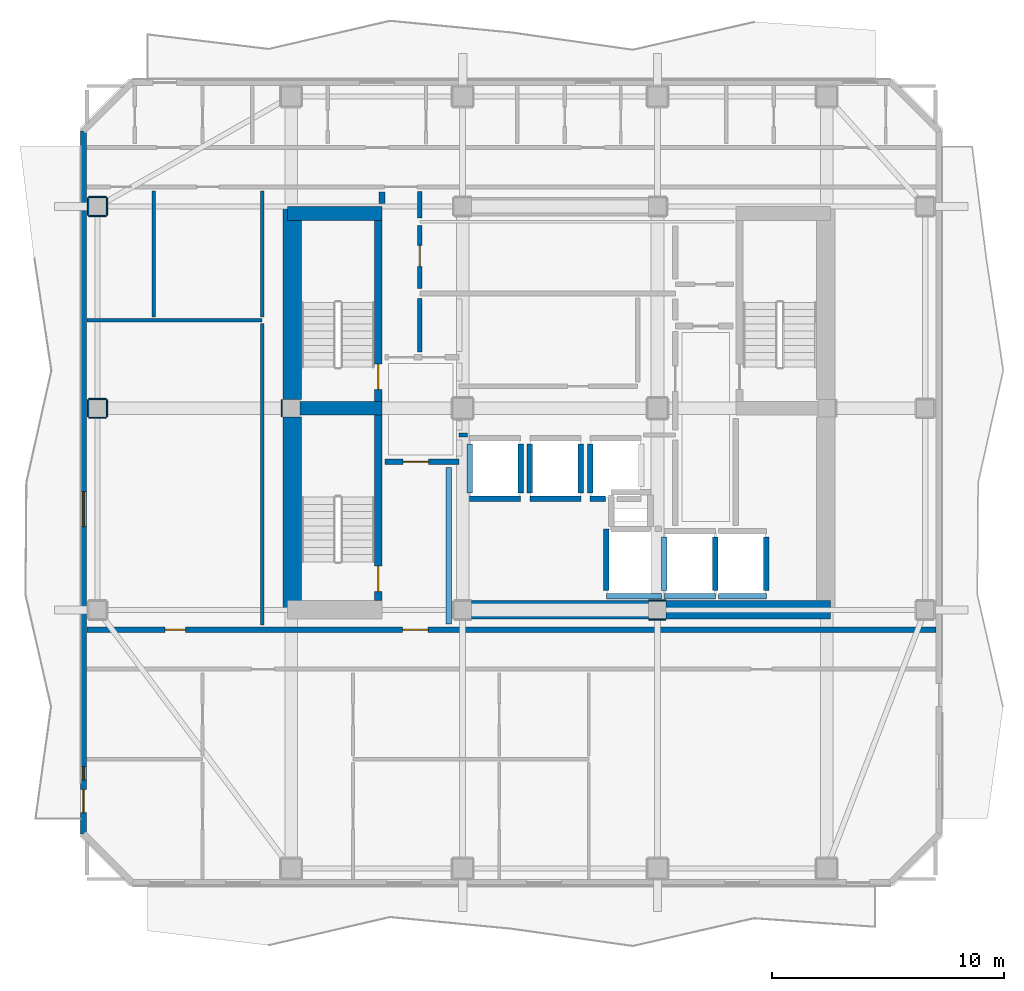
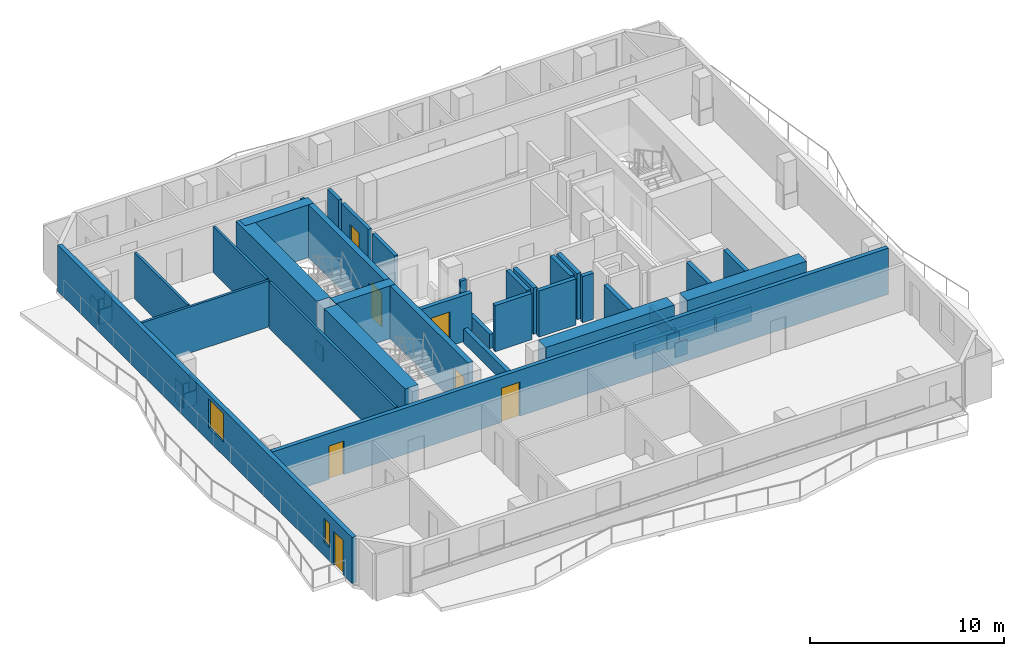
# One storey, part 3 of 10: 47 walls, 7 doors, 2 windows, 9 openings.
"""IFC4 building model written with IfcOpenShell, lengths in metres."""

import ifcopenshell
import ifcopenshell.guid

model = None  # the IFC model being written
_history = None  # IfcOwnerHistory: only IFC2X3 demands one
_inside = {}  # id of a spatial element -> (the spatial element, [elements in it])
_under = {}  # id of a project, library or spatial element -> (it, [spatial elements below it])
_declared = {}  # id of a project -> (the project, [libraries it declares])
_typed = {}  # id of a type object -> (the type object, [elements of that type])
_made_of = {}  # id of a material, layer set ... -> (it, [elements and type objects made of it])


def new_model(schema):
    """Start an empty IFC model of exactly this schema.

    Asked for "IFC4X3", IfcOpenShell would pick the latest addendum, in which some entities
    have other attributes; the version numbers below select the first issue.
    IFC2X3 requires an IfcOwnerHistory on every rooted entity: one is made here for all.
    """
    global model, _history
    if schema == "IFC4X3":
        model = ifcopenshell.file(schema_version=(4, 3, 0, 0))
    else:
        model = ifcopenshell.file(schema=schema)
    _inside.clear()
    _under.clear()
    _declared.clear()
    _typed.clear()
    _made_of.clear()
    _history = None
    if model.schema == "IFC2X3":
        org = make("IfcOrganization", Name="unknown")
        user = make(
            "IfcPersonAndOrganization",
            ThePerson=make("IfcPerson", FamilyName="unknown"),
            TheOrganization=org,
        )
        app = make(
            "IfcApplication",
            ApplicationDeveloper=org,
            Version="unknown",
            ApplicationFullName="unknown",
            ApplicationIdentifier="unknown",
        )
        _history = make(
            "IfcOwnerHistory",
            OwningUser=user,
            OwningApplication=app,
            ChangeAction="ADDED",
            CreationDate=0,
        )
    return model


def make(cls, **values):
    """One entity of the class cls with the attributes given. An attribute that is None is left unset."""
    return model.create_entity(
        cls, **{name: value for name, value in values.items() if value is not None}
    )


def rooted(cls, **values):
    """An entity with a GlobalId (a new one), such as an element, a storey or a relation."""
    return make(cls, GlobalId=ifcopenshell.guid.new(), OwnerHistory=_history, **values)


def si_unit(unit_type, name, prefix=None):
    """IfcSIUnit, for example si_unit("LENGTHUNIT", "METRE", prefix="MILLI")."""
    return make("IfcSIUnit", UnitType=unit_type, Prefix=prefix, Name=name)


def assignment(units):
    """IfcUnitAssignment: the units of a project."""
    return None if units is None else make("IfcUnitAssignment", Units=units)


def point(xyz):
    """IfcCartesianPoint."""
    return None if xyz is None else make("IfcCartesianPoint", Coordinates=xyz)


def direction(xyz):
    """IfcDirection."""
    return None if xyz is None else make("IfcDirection", DirectionRatios=xyz)


def frame(location, z_axis=None, x_axis=None):
    """IfcAxis2Placement3D, a coordinate frame: its origin and axes. An axis left out is left unset."""
    return make(
        "IfcAxis2Placement3D",
        Location=point(location),
        Axis=direction(z_axis),
        RefDirection=direction(x_axis),
    )


def frame_2d(location, x_axis=None):
    """IfcAxis2Placement2D, a coordinate frame in the plane: its origin and x axis."""
    return make(
        "IfcAxis2Placement2D", Location=point(location), RefDirection=direction(x_axis)
    )


def origin():
    """The frame at (0, 0, 0) with its axes left unset."""
    return frame((0.0, 0.0, 0.0))


def place(relative_to, where):
    """IfcLocalPlacement: puts the frame where relative to a parent placement (None: the world)."""
    return make(
        "IfcLocalPlacement", PlacementRelTo=relative_to, RelativePlacement=where
    )


def context(
    kind, dimensions, precision=None, world=None, true_north=None, identifier=None
):
    """IfcGeometricRepresentationContext, for example the 3D "Model" context."""
    return make(
        "IfcGeometricRepresentationContext",
        ContextIdentifier=identifier,
        ContextType=kind,
        CoordinateSpaceDimension=dimensions,
        Precision=precision,
        WorldCoordinateSystem=world,
        TrueNorth=true_north,
    )


def subcontext(parent, identifier, kind, view, scale=None):
    """IfcGeometricRepresentationSubContext, for example "Body" below "Model"."""
    return make(
        "IfcGeometricRepresentationSubContext",
        ContextIdentifier=identifier,
        ContextType=kind,
        ParentContext=parent,
        TargetScale=scale,
        TargetView=view,
    )


def project(units=None, contexts=None):
    """IfcProject with its units and contexts."""
    return rooted(
        "IfcProject",
        Name="project",
        RepresentationContexts=contexts,
        UnitsInContext=assignment(units),
    )


def spatial(cls, under=None, at=None, **own):
    """A site, building, storey or space (cls), placed at a placement, below another one or the project."""
    s = rooted(cls, ObjectPlacement=at, **own)
    if under is not None:
        _under.setdefault(under.id(), (under, []))[1].append(s)
    return s


def profile(cls, at=None, kind="AREA", **sizes):
    """A parametric profile (cls). Its sizes go by their IFC names, for example OverallWidth=200.0."""
    return make(cls, ProfileType=kind, Position=at, **sizes)


def rectangle(**sizes):
    """IfcRectangleProfileDef."""
    return profile("IfcRectangleProfileDef", **sizes)


def extrude(swept, where, along, depth):
    """IfcExtrudedAreaSolid: the profile swept, set in the frame where, extruded along a direction by depth."""
    return make(
        "IfcExtrudedAreaSolid",
        SweptArea=swept,
        Position=where,
        ExtrudedDirection=direction(along),
        Depth=depth,
    )


def shape(context_of_items, identifier, shape_type, items):
    """IfcShapeRepresentation: the items that make up one representation, for example the "Body"."""
    return make(
        "IfcShapeRepresentation",
        ContextOfItems=context_of_items,
        RepresentationIdentifier=identifier,
        RepresentationType=shape_type,
        Items=items,
    )


def material(Name=None, Category=None):
    """IfcMaterial."""
    return make("IfcMaterial", Name=Name, Category=Category)


def layer(
    of_material, thickness, ventilated=None, Name=None, Category=None, Priority=None
):
    """IfcMaterialLayer: one layer of a wall or slab, of a material (None: an air gap)."""
    return make(
        "IfcMaterialLayer",
        Material=of_material,
        LayerThickness=thickness,
        IsVentilated=ventilated,
        Name=Name,
        Category=Category,
        Priority=Priority,
    )


def layer_set(layers, Name=None):
    """IfcMaterialLayerSet."""
    return make("IfcMaterialLayerSet", MaterialLayers=layers, LayerSetName=Name)


def made_of(thing, what):
    """Note that an element or type object is made of a material, layer set ...; save() writes the relation."""
    if what is not None:
        _made_of.setdefault(what.id(), (what, []))[1].append(thing)
    return thing


def type_object(cls, material=None, **own):
    """A type object (cls), such as IfcWallType, which elements share."""
    return made_of(rooted(cls, **own), material)


def element(
    cls,
    number,
    at=None,
    inside=None,
    cuts=None,
    type_object=None,
    material=None,
    context=None,
    identifier="Body",
    shape_type=None,
    held_by="IfcProductDefinitionShape",
    body=None,
    shapes=None,
    **own,
):
    """One element of the class cls, such as IfcWall. Its Tag is "e" and its number.

    at: its placement. inside: the storey or other place that contains it. cuts: it is an
    opening in that element (IfcRelVoidsElement). A single representation is given by context,
    identifier, shape_type and body (its items); several are given by shapes. held_by: the class
    of the entity that holds the representations. save() writes the other relations.
    """
    e = rooted(cls, Tag="e%d" % number, ObjectPlacement=at, **own)
    if body is not None:
        shapes = [shape(context, identifier, shape_type, body)]
    if shapes is not None:
        e.Representation = make(held_by, Representations=shapes)
    if inside is not None:
        _inside.setdefault(inside.id(), (inside, []))[1].append(e)
    if cuts is not None:
        rooted(
            "IfcRelVoidsElement", RelatingBuildingElement=cuts, RelatedOpeningElement=e
        )
    if type_object is not None:
        _typed.setdefault(type_object.id(), (type_object, []))[1].append(e)
    return made_of(e, material)


def fill(opening, filler):
    """IfcRelFillsElement: the door or window that sits in an opening."""
    return rooted(
        "IfcRelFillsElement",
        RelatingOpeningElement=opening,
        RelatedBuildingElement=filler,
    )


def aggregate(whole, parts):
    """IfcRelAggregates: a whole, such as a stair, and the parts it consists of."""
    return rooted("IfcRelAggregates", RelatingObject=whole, RelatedObjects=parts)


def save(model, path):
    """Write the relations noted so far, then the file.

    IfcRelAggregates (storeys below a building ...), IfcRelContainedInSpatialStructure (elements
    in a storey), IfcRelDefinesByType, IfcRelAssociatesMaterial and IfcRelDeclares: one each for
    every whole, place, type object, material and project.
    """
    for whole, parts in _under.values():
        aggregate(whole, parts)
    for where, things in _inside.values():
        rooted(
            "IfcRelContainedInSpatialStructure",
            RelatedElements=things,
            RelatingStructure=where,
        )
    for kind, things in _typed.values():
        rooted("IfcRelDefinesByType", RelatedObjects=things, RelatingType=kind)
    for what, things in _made_of.values():
        rooted("IfcRelAssociatesMaterial", RelatedObjects=things, RelatingMaterial=what)
    for by, libraries in _declared.values():
        rooted("IfcRelDeclares", RelatingContext=by, RelatedDefinitions=libraries)
    model.write(path)


model = new_model("IFC4")

# Units and contexts
model_context = context("Model", 3, precision=1e-05, world=origin(), true_north=direction((0.0, 1.0)))
body_context = subcontext(model_context, "Body", "Model", "MODEL_VIEW")
ifc_project = project(units=[si_unit("LENGTHUNIT", "METRE"), si_unit("AREAUNIT", "SQUARE_METRE"), si_unit("VOLUMEUNIT", "CUBIC_METRE"), si_unit("PLANEANGLEUNIT", "RADIAN"), si_unit("MASSUNIT", "GRAM", prefix="KILO")], contexts=[model_context])

# Site, building, storey
site_placement = place(None, origin())
site = spatial("IfcSite", under=ifc_project, at=site_placement, CompositionType="ELEMENT")
building_placement = place(site_placement, origin())
building = spatial("IfcBuilding", under=site, at=building_placement, Name="Solanera Arch Residences", CompositionType="ELEMENT")
storey_placement = place(building_placement, frame((0.0, 0.0, 206.760009765625)))
storey = spatial("IfcBuildingStorey", under=building, at=storey_placement, Name="L60", CompositionType="ELEMENT", Elevation=206.760009765625)

# Walls
ifc_material_1 = material(Name="Fire-Rated Gypsum Stud Partition", Category="gypsum")
ifc_layer_1 = layer(ifc_material_1, 0.06005859375)
ifc_layer_set_1 = layer_set([ifc_layer_1], Name="Fire-Rated Gypsum Stud Partition")
wall_type_1 = type_object("IfcWallType", Name="Column Acoustic Furring Wall 60", PredefinedType="PARTITIONING", material=ifc_layer_set_1)
for number, where, z_axis, x_axis, name in (
    (1, (28.8330078125, 21.593017578125, 0.0), (0.0, 0.0, 1.0), (1.0, 0.0, 0.0), "L60 Column Furring 2S"),
    (2, (28.8330078125, 22.406982421875, 0.0), (0.0, 0.0, 1.0), (1.0, 0.0, 0.0), "L60 Column Furring 2N"),
):
    element("IfcWall", number, at=place(storey_placement, frame(where, z_axis=z_axis, x_axis=x_axis)), inside=storey, type_object=wall_type_1, Name=name, PredefinedType="PARTITIONING", context=body_context, shape_type="SweptSolid", body=[
        extrude(rectangle(XDim=0.73388671875, YDim=0.06005859375, at=frame_2d((0.366943359375, 0.0))), origin(), (0.0, 0.0, 1.0), 0.905029296875),
    ])
for number, where, z_axis, x_axis, name in (
    (3, (12.992919921875, 30.324951171875, 0.0), (0.0, 0.0, 1.0), (0.0, 1.0, 0.0), "L60 Column Furring 5W"),
    (4, (4.675048828125, 30.29296875, 0.0), (0.0, 0.0, 1.0), (1.0, 0.0, 0.0), "L60 Column Furring 19S"),
    (5, (4.675048828125, 31.10693359375, 0.0), (0.0, 0.0, 1.0), (1.0, 0.0, 0.0), "L60 Column Furring 19N"),
):
    element("IfcWall", number, at=place(storey_placement, frame(where, z_axis=z_axis, x_axis=x_axis)), inside=storey, type_object=wall_type_1, Name=name, PredefinedType="PARTITIONING", context=body_context, shape_type="SweptSolid", body=[
        extrude(rectangle(XDim=0.75, YDim=0.06005859375, at=frame_2d((0.375, 0.0))), origin(), (0.0, 0.0, 1.0), 0.905029296875),
    ])
for number, where, z_axis, x_axis, name in (
    (6, (4.64306640625, 30.324951171875, 0.0), (0.0, 0.0, 1.0), (0.0, 1.0, 0.0), "L60 Column Furring 19W"),
    (7, (5.45703125, 30.324951171875, 0.0), (0.0, 0.0, 1.0), (0.0, 1.0, 0.0), "L60 Column Furring 19E"),
):
    element("IfcWall", number, at=place(storey_placement, frame(where, z_axis=z_axis, x_axis=x_axis)), inside=storey, type_object=wall_type_1, Name=name, PredefinedType="PARTITIONING", context=body_context, shape_type="SweptSolid", body=[
        extrude(rectangle(XDim=0.75, YDim=0.06005859375, at=frame_2d((0.375, 0.0))), origin(), (0.0, 0.0, 1.0), 1.449951171875),
    ])
for number, where, z_axis, x_axis, name in (
    (8, (4.675048828125, 38.992919921875, 0.0), (0.0, 0.0, 1.0), (1.0, 0.0, 0.0), "L60 Column Furring 21S"),
    (9, (4.675048828125, 39.806884765625, 0.0), (0.0, 0.0, 1.0), (1.0, 0.0, 0.0), "L60 Column Furring 21N"),
):
    element("IfcWall", number, at=place(storey_placement, frame(where, z_axis=z_axis, x_axis=x_axis)), inside=storey, type_object=wall_type_1, Name=name, PredefinedType="PARTITIONING", context=body_context, shape_type="SweptSolid", body=[
        extrude(rectangle(XDim=0.75, YDim=0.06005859375, at=frame_2d((0.375, 0.0))), origin(), (0.0, 0.0, 1.0), 0.905029296875),
    ])
for number, where, z_axis, x_axis, name in (
    (10, (4.64306640625, 39.02490234375, 0.0), (0.0, 0.0, 1.0), (0.0, 1.0, 0.0), "L60 Column Furring 21W"),
    (11, (5.45703125, 39.02490234375, 0.0), (0.0, 0.0, 1.0), (0.0, 1.0, 0.0), "L60 Column Furring 21E"),
):
    element("IfcWall", number, at=place(storey_placement, frame(where, z_axis=z_axis, x_axis=x_axis)), inside=storey, type_object=wall_type_1, Name=name, PredefinedType="PARTITIONING", context=body_context, shape_type="SweptSolid", body=[
        extrude(rectangle(XDim=0.75, YDim=0.06005859375, at=frame_2d((0.375, 0.0))), origin(), (0.0, 0.0, 1.0), 1.449951171875),
    ])

# Wall, opening, door
ifc_material_2 = material(Name="Concrete C40/50 (f'c = 45 MPa)", Category="concrete")
ifc_layer_2 = layer(ifc_material_2, 0.320068359375)
ifc_layer_set_2 = layer_set([ifc_layer_2], Name="Concrete C40/50 (f'c = 45 MPa)")
wall_type_2 = type_object("IfcWallType", Name="Core Shear Wall CW-320", PredefinedType="SHEAR", material=ifc_layer_set_2)
wall_1_placement = place(storey_placement, frame((17.159912109375, 31.0, 0.0), z_axis=(0.0, 0.0, 1.0), x_axis=(0.0, 1.0, 0.0)))
wall_1 = element("IfcWall", 12, at=wall_1_placement, inside=storey, type_object=wall_type_2, Name="L60 Stair ST-T1 East Shear Wall", PredefinedType="SHEAR", context=body_context, shape_type="SweptSolid", body=[
    extrude(rectangle(XDim=7.800048828125, YDim=0.320068359375, at=frame_2d((3.89990234375, 0.0))), origin(), (0.0, 0.0, 1.0), 3.320068359375),
])
opening_1_placement = place(wall_1_placement, frame((0.510009765625, 0.0, 0.0)))
opening_1 = element("IfcOpeningElement", 13, at=opening_1_placement, cuts=wall_1, Name="Opening DF-01", PredefinedType="OPENING", context=body_context, shape_type="SweptSolid", body=[
    extrude(rectangle(XDim=1.10009765625, YDim=2.14990234375, at=frame_2d((0.550048828125, 1.074951171875))), frame((0.0, 0.169921875, 0.0), z_axis=(0.0, -1.0, 0.0), x_axis=(1.0, 0.0, 0.0)), (0.0, 0.0, 1.0), 0.3401),
])
ifc_material_3 = material(Name="Fire-Rated Architectural Hardwood", Category="wood")
door_type_1 = type_object("IfcDoorType", Name="Stair Exit Fire Door DF-01", OperationType="NOTDEFINED", PredefinedType="DOOR", material=ifc_material_3)
door_1_placement = place(opening_1_placement, origin())
door_1 = element("IfcDoor", 14, at=door_1_placement, inside=storey, type_object=door_type_1, Name="DR-L60-STAIR-ST-T1", OperationType="SINGLE_SWING_RIGHT", OverallHeight=2.14990234375, OverallWidth=1.10009765625, PredefinedType="DOOR", context=body_context, shape_type="SweptSolid", body=[
    extrude(rectangle(XDim=1.10009765625, YDim=2.14990234375, at=frame_2d((0.550048828125, 1.074951171875))), frame((0.0, 0.02490234375, 0.0), z_axis=(0.0, -1.0, 0.0), x_axis=(1.0, 0.0, 0.0)), (0.0, 0.0, 1.0), 0.050048828125),
])
fill(opening_1, door_1)

wall_2_placement = place(storey_placement, frame((17.159912109375, 22.39990234375, 0.0), z_axis=(0.0, 0.0, 1.0), x_axis=(0.0, 1.0, 0.0)))
wall_2 = element("IfcWall", 15, at=wall_2_placement, inside=storey, type_object=wall_type_2, Name="L60 Stair ST-T3 East Shear Wall", PredefinedType="SHEAR", context=body_context, shape_type="SweptSolid", body=[
    extrude(rectangle(XDim=8.0, YDim=0.320068359375, at=frame_2d((4.0, 0.0))), origin(), (0.0, 0.0, 1.0), 3.320068359375),
])
opening_2_placement = place(wall_2_placement, frame((0.389892578125, 0.0, 0.0)))
opening_2 = element("IfcOpeningElement", 16, at=opening_2_placement, cuts=wall_2, Name="Opening DF-01", PredefinedType="OPENING", context=body_context, shape_type="SweptSolid", body=[
    extrude(rectangle(XDim=1.10009765625, YDim=2.14990234375, at=frame_2d((0.550048828125, 1.074951171875))), frame((0.0, 0.169921875, 0.0), z_axis=(0.0, -1.0, 0.0), x_axis=(1.0, 0.0, 0.0)), (0.0, 0.0, 1.0), 0.3401),
])
door_2_placement = place(opening_2_placement, origin())
door_2 = element("IfcDoor", 17, at=door_2_placement, inside=storey, type_object=door_type_1, Name="DR-L60-STAIR-ST-T3", OperationType="SINGLE_SWING_RIGHT", OverallHeight=2.14990234375, OverallWidth=1.10009765625, PredefinedType="DOOR", context=body_context, shape_type="SweptSolid", body=[
    extrude(rectangle(XDim=1.10009765625, YDim=2.14990234375, at=frame_2d((0.550048828125, 1.074951171875))), frame((0.0, 0.02490234375, 0.0), z_axis=(0.0, -1.0, 0.0), x_axis=(1.0, 0.0, 0.0)), (0.0, 0.0, 1.0), 0.050048828125),
])
fill(opening_2, door_2)

# Walls
ifc_material_4 = material(Name="Concrete C40/50 (f'c = 45 MPa)", Category="concrete")
ifc_layer_3 = layer(ifc_material_4, 0.60009765625)
ifc_layer_set_3 = layer_set([ifc_layer_3], Name="Concrete C40/50 (f'c = 45 MPa)")
wall_type_3 = type_object("IfcWallType", Name="Core Shear Wall CW-600", PredefinedType="SHEAR", material=ifc_layer_set_3)
wall_3_placement = place(storey_placement, frame((13.239990234375, 39.10009765625, 0.0), z_axis=(0.0, 0.0, 1.0), x_axis=(1.0, 0.0, 0.0)))
element("IfcWall", 18, at=wall_3_placement, inside=storey, type_object=wall_type_3, Name="L60 North-West Core Shear Wall", PredefinedType="SHEAR", context=body_context, shape_type="SweptSolid", body=[
    extrude(rectangle(XDim=4.080078125, YDim=0.60009765625, at=frame_2d((2.0400390625, 0.0))), origin(), (0.0, 0.0, 1.0), 3.320068359375),
])
wall_4_placement = place(storey_placement, frame((13.780029296875, 30.699951171875, 0.0), z_axis=(0.0, 0.0, 1.0), x_axis=(1.0, 0.0, 0.0)))
element("IfcWall", 19, at=wall_4_placement, inside=storey, type_object=wall_type_3, Name="L60 West Stair Divider Shear Wall", PredefinedType="SHEAR", context=body_context, shape_type="SweptSolid", body=[
    extrude(rectangle(XDim=3.5400390625, YDim=0.60009765625, at=frame_2d((1.77001953125, 0.0))), origin(), (0.0, 0.0, 1.0), 3.320068359375),
])
ifc_material_5 = material(Name="Concrete C40/50 (f'c = 45 MPa)", Category="concrete")
ifc_layer_4 = layer(ifc_material_5, 0.800048828125)
ifc_layer_set_4 = layer_set([ifc_layer_4], Name="Concrete C40/50 (f'c = 45 MPa)")
wall_type_4 = type_object("IfcWallType", Name="Core Shear Wall CW-800", PredefinedType="SHEAR", material=ifc_layer_set_4)
wall_5_placement = place(storey_placement, frame((13.43994140625, 22.0, 0.0), z_axis=(0.0, 0.0, 1.0), x_axis=(0.0, 1.0, 0.0)))
element("IfcWall", 20, at=wall_5_placement, inside=storey, type_object=wall_type_4, Name="L60 West Core South Shear Wall", PredefinedType="SHEAR", context=body_context, shape_type="SweptSolid", body=[
    extrude(rectangle(XDim=8.320068359375, YDim=0.800048828125, at=frame_2d((4.16015625, 0.0))), origin(), (0.0, 0.0, 1.0), 3.320068359375),
])
wall_6_placement = place(storey_placement, frame((13.43994140625, 31.080078125, 0.0), z_axis=(0.0, 0.0, 1.0), x_axis=(0.0, 1.0, 0.0)))
element("IfcWall", 21, at=wall_6_placement, inside=storey, type_object=wall_type_4, Name="L60 West Core North Shear Wall", PredefinedType="SHEAR", context=body_context, shape_type="SweptSolid", body=[
    extrude(rectangle(XDim=8.31982421875, YDim=0.800048828125, at=frame_2d((4.159912109375, 0.0))), origin(), (0.0, 0.0, 1.0), 3.320068359375),
])
wall_7_placement = place(storey_placement, frame((29.580078125, 22.0, 0.0), z_axis=(0.0, 0.0, 1.0), x_axis=(1.0, 0.0, 0.0)))
element("IfcWall", 22, at=wall_7_placement, inside=storey, type_object=wall_type_4, Name="L60 South-East Core Shear Wall", PredefinedType="SHEAR", context=body_context, shape_type="SweptSolid", body=[
    extrude(rectangle(XDim=7.079833984375, YDim=0.800048828125, at=frame_2d((3.5400390625, 0.0))), origin(), (0.0, 0.0, 1.0), 3.320068359375),
])
wall_8_placement = place(storey_placement, frame((21.179931640625, 22.0, 0.0), z_axis=(0.0, 0.0, 1.0), x_axis=(1.0, 0.0, 0.0)))
element("IfcWall", 23, at=wall_8_placement, inside=storey, type_object=wall_type_4, Name="L60 Central South Core Shear Wall", PredefinedType="SHEAR", context=body_context, shape_type="SweptSolid", body=[
    extrude(rectangle(XDim=7.64013671875, YDim=0.800048828125, at=frame_2d((3.820068359375, 0.0))), origin(), (0.0, 0.0, 1.0), 3.320068359375),
])
ifc_material_6 = material(Name="Autoclaved Aerated Concrete Blockwork", Category="masonry")
ifc_layer_5 = layer(ifc_material_6, 0.179931640625)
ifc_layer_set_5 = layer_set([ifc_layer_5], Name="Autoclaved Aerated Concrete Blockwork")
wall_type_5 = type_object("IfcWallType", Name="Corridor Fire Partition 180", PredefinedType="PARTITIONING", material=ifc_layer_set_5)
wall_9_placement = place(storey_placement, frame((20.64990234375, 29.550048828125, 0.0), z_axis=(0.0, 0.0, 1.0), x_axis=(1.0, 0.0, 0.0)))
element("IfcWall", 24, at=wall_9_placement, inside=storey, type_object=wall_type_5, Name="L60 Interior Partition H8 1", PredefinedType="PARTITIONING", context=body_context, shape_type="SweptSolid", body=[
    extrude(rectangle(XDim=0.357177734375, YDim=0.179931640625, at=frame_2d((0.1787109375, 0.0))), origin(), (0.0, 0.0, 1.0), 2.89990234375),
])

# Wall, openings, door, windows
ifc_material_7 = material(Name="Precast Concrete C35/45", Category="concrete")
ifc_layer_6 = layer(ifc_material_7, 0.260009765625)
ifc_layer_set_6 = layer_set([ifc_layer_6], Name="Precast Concrete C35/45")
wall_type_6 = type_object("IfcWallType", Name="Exterior Wall Precast Masonry-Frame 260", PredefinedType="STANDARD", material=ifc_layer_set_6)
wall_10_placement = place(storey_placement, frame((4.445068359375, 12.344970703125, 0.0), z_axis=(0.0, 0.0, 1.0), x_axis=(0.0, 1.0, 0.0)))
wall_10 = element("IfcWall", 25, at=wall_10_placement, inside=storey, type_object=wall_type_6, Name="L60 Tower Exterior Precast Masonry-Frame Wall W", PredefinedType="STANDARD", context=body_context, shape_type="SweptSolid", body=[
    extrude(rectangle(XDim=30.31005859375, YDim=0.260009765625, at=frame_2d((15.155029296875, 0.0))), origin(), (0.0, 0.0, 1.0), 2.89990234375),
])
opening_3_placement = place(wall_10_placement, frame((0.909912109375, 0.0, 0.0)))
opening_3 = element("IfcOpeningElement", 26, at=opening_3_placement, cuts=wall_10, Name="Opening DB-01", PredefinedType="OPENING", context=body_context, shape_type="SweptSolid", body=[
    extrude(rectangle(XDim=1.0, YDim=2.14990234375, at=frame_2d((0.5, 1.074951171875))), frame((0.0, 0.139892578125, 0.0), z_axis=(0.0, -1.0, 0.0), x_axis=(1.0, 0.0, 0.0)), (0.0, 0.0, 1.0), 0.28),
])
opening_4_placement = place(wall_10_placement, frame((2.322021484375, 0.0, 0.85009765625)))
opening_4 = element("IfcOpeningElement", 27, at=opening_4_placement, cuts=wall_10, Name="Opening W-14", PredefinedType="OPENING", context=body_context, shape_type="SweptSolid", body=[
    extrude(rectangle(XDim=0.580078125, YDim=1.5, at=frame_2d((0.2900390625, 0.75))), frame((0.0, 0.139892578125, 0.0), z_axis=(0.0, -1.0, 0.0), x_axis=(1.0, 0.0, 0.0)), (0.0, 0.0, 1.0), 0.28),
])
opening_5_placement = place(wall_10_placement, frame((13.2548828125, 0.0, 0.85009765625)))
opening_5 = element("IfcOpeningElement", 28, at=opening_5_placement, cuts=wall_10, Name="Opening W-02", PredefinedType="OPENING", context=body_context, shape_type="SweptSolid", body=[
    extrude(rectangle(XDim=1.5, YDim=1.800048828125, at=frame_2d((0.75, 0.89990234375))), frame((0.0, 0.139892578125, 0.0), z_axis=(0.0, -1.0, 0.0), x_axis=(1.0, 0.0, 0.0)), (0.0, 0.0, 1.0), 0.28),
])
ifc_material_8 = material(Name="Anodised Aluminium Alloy 6063-T6", Category="aluminium")
door_type_2 = type_object("IfcDoorType", Name="Glazed Balcony Swing Door DB-01", OperationType="NOTDEFINED", PredefinedType="DOOR", material=ifc_material_8)
door_3_placement = place(opening_3_placement, origin())
door_3 = element("IfcDoor", 29, at=door_3_placement, inside=storey, type_object=door_type_2, Name="DR-L60-OUT-04", OperationType="SINGLE_SWING_LEFT", OverallHeight=2.14990234375, OverallWidth=1.0, PredefinedType="DOOR", context=body_context, shape_type="SweptSolid", body=[
    extrude(rectangle(XDim=1.0, YDim=2.14990234375, at=frame_2d((0.5, 1.074951171875))), frame((0.0, 0.02490234375, 0.0), z_axis=(0.0, -1.0, 0.0), x_axis=(1.0, 0.0, 0.0)), (0.0, 0.0, 1.0), 0.050048828125),
])
fill(opening_3, door_3)
ifc_material_9 = material(Name="Double Glazed Low-E Laminated Glass", Category="glass")
window_type_1 = type_object("IfcWindowType", Name="Punched Window W-02", PartitioningType="DOUBLE_PANEL_VERTICAL", PredefinedType="WINDOW", material=ifc_material_9)
window_1_placement = place(opening_5_placement, origin())
window_1 = element("IfcWindow", 30, at=window_1_placement, inside=storey, type_object=window_type_1, Name="L60 AMN-FIT Punched Window", OverallHeight=1.800048828125, OverallWidth=1.5, PartitioningType="SINGLE_PANEL", PredefinedType="WINDOW", context=body_context, shape_type="SweptSolid", body=[
    extrude(rectangle(XDim=1.5, YDim=1.800048828125, at=frame_2d((0.75, 0.89990234375))), frame((0.0, 0.030029296875, 0.0), z_axis=(0.0, -1.0, 0.0), x_axis=(1.0, 0.0, 0.0)), (0.0, 0.0, 1.0), 0.06005859375),
])
fill(opening_5, window_1)
ifc_material_10 = material(Name="Double Glazed Low-E Laminated Glass", Category="glass")
window_type_2 = type_object("IfcWindowType", Name="Punched Window W-14", PartitioningType="SINGLE_PANEL", PredefinedType="WINDOW", material=ifc_material_10)
window_2_placement = place(opening_4_placement, origin())
window_2 = element("IfcWindow", 31, at=window_2_placement, inside=storey, type_object=window_type_2, Name="L60 6001-BR1 Punched Window", OverallHeight=1.5, OverallWidth=0.580078125, PartitioningType="SINGLE_PANEL", PredefinedType="WINDOW", context=body_context, shape_type="SweptSolid", body=[
    extrude(rectangle(XDim=0.580078125, YDim=1.5, at=frame_2d((0.2900390625, 0.75))), frame((0.0, 0.030029296875, 0.0), z_axis=(0.0, -1.0, 0.0), x_axis=(1.0, 0.0, 0.0)), (0.0, 0.0, 1.0), 0.06005859375),
])
fill(opening_4, window_2)

# Wall
ifc_material_11 = material(Name="Autoclaved Aerated Concrete Blockwork", Category="masonry")
ifc_layer_7 = layer(ifc_material_11, 0.199951171875)
ifc_layer_set_7 = layer_set([ifc_layer_7], Name="Autoclaved Aerated Concrete Blockwork")
wall_type_7 = type_object("IfcWallType", Name="Party Wall Acoustic 200", PredefinedType="PARTITIONING", material=ifc_layer_set_7)
wall_11_placement = place(storey_placement, frame((18.949951171875, 33.1279296875, 0.0), z_axis=(0.0, 0.0, 1.0), x_axis=(0.0, 1.0, 0.0)))
element("IfcWall", 32, at=wall_11_placement, inside=storey, type_object=wall_type_7, Name="L60 Interior Partition V6 1", PredefinedType="PARTITIONING", context=body_context, shape_type="SweptSolid", body=[
    extrude(rectangle(XDim=2.31396484375, YDim=0.199951171875, at=frame_2d((1.156982421875, 0.0))), origin(), (0.0, 0.0, 1.0), 2.89990234375),
])

# Wall, opening, door
wall_12_placement = place(storey_placement, frame((18.949951171875, 35.85791015625, 0.0), z_axis=(0.0, 0.0, 1.0), x_axis=(0.0, 1.0, 0.0)))
wall_12 = element("IfcWall", 33, at=wall_12_placement, inside=storey, type_object=wall_type_7, Name="L60 Interior Partition V6 2", PredefinedType="PARTITIONING", context=body_context, shape_type="SweptSolid", body=[
    extrude(rectangle(XDim=2.72412109375, YDim=0.199951171875, at=frame_2d((1.362060546875, 0.0))), origin(), (0.0, 0.0, 1.0), 2.89990234375),
])
opening_6_placement = place(wall_12_placement, frame((0.967041015625, 0.0, 0.0)))
opening_6 = element("IfcOpeningElement", 34, at=opening_6_placement, cuts=wall_12, Name="Opening DI-02", PredefinedType="OPENING", context=body_context, shape_type="SweptSolid", body=[
    extrude(rectangle(XDim=0.89990234375, YDim=2.10009765625, at=frame_2d((0.449951171875, 1.050048828125))), frame((0.0, 0.110107421875, 0.0), z_axis=(0.0, -1.0, 0.0), x_axis=(1.0, 0.0, 0.0)), (0.0, 0.0, 1.0), 0.22),
])
ifc_material_12 = material(Name="Fire-Rated Architectural Hardwood", Category="wood")
door_type_3 = type_object("IfcDoorType", Name="Suite Room Swing Door DI-02", OperationType="NOTDEFINED", PredefinedType="DOOR", material=ifc_material_12)
door_4_placement = place(opening_6_placement, origin())
door_4 = element("IfcDoor", 35, at=door_4_placement, inside=storey, type_object=door_type_3, Name="DR-L60-IN-012", OperationType="SINGLE_SWING_LEFT", OverallHeight=2.10009765625, OverallWidth=0.89990234375, PredefinedType="DOOR", context=body_context, shape_type="SweptSolid", body=[
    extrude(rectangle(XDim=0.89990234375, YDim=2.10009765625, at=frame_2d((0.449951171875, 1.050048828125))), frame((0.0, 0.02490234375, 0.0), z_axis=(0.0, -1.0, 0.0), x_axis=(1.0, 0.0, 0.0)), (0.0, 0.0, 1.0), 0.050048828125),
])
fill(opening_6, door_4)

# Walls
wall_13_placement = place(storey_placement, frame((18.949951171875, 38.91796875, 0.0), z_axis=(0.0, 0.0, 1.0), x_axis=(0.0, 1.0, 0.0)))
element("IfcWall", 36, at=wall_13_placement, inside=storey, type_object=wall_type_7, Name="L60 Interior Partition V6 3", PredefinedType="PARTITIONING", context=body_context, shape_type="SweptSolid", body=[
    extrude(rectangle(XDim=1.134033203125, YDim=0.199951171875, at=frame_2d((0.56689453125, 0.0))), origin(), (0.0, 0.0, 1.0), 2.89990234375),
])
ifc_material_13 = material(Name="Autoclaved Aerated Concrete Blockwork", Category="masonry")
ifc_layer_8 = layer(ifc_material_13, 0.239990234375)
ifc_layer_set_8 = layer_set([ifc_layer_8], Name="Autoclaved Aerated Concrete Blockwork")
wall_type_8 = type_object("IfcWallType", Name="Shaft Wall Fire-Rated 240", PredefinedType="PARTITIONING", material=ifc_layer_set_8)
wall_14_placement = place(storey_placement, frame((21.10009765625, 26.800048828125, 0.0), z_axis=(0.0, 0.0, 1.0), x_axis=(1.0, 0.0, 0.0)))
element("IfcWall", 37, at=wall_14_placement, inside=storey, type_object=wall_type_8, Name="L60 Lift PL-H1 Hoistway Wall S", PredefinedType="PARTITIONING", context=body_context, shape_type="SweptSolid", body=[
    extrude(rectangle(XDim=2.199951171875, YDim=0.239990234375, at=frame_2d((1.10009765625, 0.0))), origin(), (0.0, 0.0, 1.0), 2.89990234375),
])
wall_15_placement = place(storey_placement, frame((21.10009765625, 27.048095703125, 0.0), z_axis=(0.0, 0.0, 1.0), x_axis=(0.0, 1.0, 0.0)))
element("IfcWall", 38, at=wall_15_placement, inside=storey, type_object=wall_type_8, Name="L60 Lift PL-H1 Hoistway Wall W", PredefinedType="PARTITIONING", context=body_context, shape_type="SweptSolid", body=[
    extrude(rectangle(XDim=2.10400390625, YDim=0.239990234375, at=frame_2d((1.052001953125, 0.0))), origin(), (0.0, 0.0, 1.0), 0.905029296875),
])
wall_16_placement = place(storey_placement, frame((23.300048828125, 27.048095703125, 0.0), z_axis=(0.0, 0.0, 1.0), x_axis=(0.0, 1.0, 0.0)))
element("IfcWall", 39, at=wall_16_placement, inside=storey, type_object=wall_type_8, Name="L60 Lift PL-H1 Hoistway Wall E", PredefinedType="PARTITIONING", context=body_context, shape_type="SweptSolid", body=[
    extrude(rectangle(XDim=2.10400390625, YDim=0.239990234375, at=frame_2d((1.052001953125, 0.0))), origin(), (0.0, 0.0, 1.0), 2.89990234375),
])
wall_17_placement = place(storey_placement, frame((23.699951171875, 26.800048828125, 0.0), z_axis=(0.0, 0.0, 1.0), x_axis=(1.0, 0.0, 0.0)))
element("IfcWall", 40, at=wall_17_placement, inside=storey, type_object=wall_type_8, Name="L60 Lift PL-H2 Hoistway Wall S", PredefinedType="PARTITIONING", context=body_context, shape_type="SweptSolid", body=[
    extrude(rectangle(XDim=2.199951171875, YDim=0.239990234375, at=frame_2d((1.10009765625, 0.0))), origin(), (0.0, 0.0, 1.0), 2.89990234375),
])
for number, where, z_axis, x_axis, name in (
    (41, (23.699951171875, 27.048095703125, 0.0), (0.0, 0.0, 1.0), (0.0, 1.0, 0.0), "L60 Lift PL-H2 Hoistway Wall W"),
    (42, (25.89990234375, 27.048095703125, 0.0), (0.0, 0.0, 1.0), (0.0, 1.0, 0.0), "L60 Lift PL-H2 Hoistway Wall E"),
):
    element("IfcWall", number, at=place(storey_placement, frame(where, z_axis=z_axis, x_axis=x_axis)), inside=storey, type_object=wall_type_8, Name=name, PredefinedType="PARTITIONING", context=body_context, shape_type="SweptSolid", body=[
        extrude(rectangle(XDim=2.10400390625, YDim=0.239990234375, at=frame_2d((1.052001953125, 0.0))), origin(), (0.0, 0.0, 1.0), 2.89990234375),
    ])
wall_18_placement = place(storey_placement, frame((26.300048828125, 26.800048828125, 0.0), z_axis=(0.0, 0.0, 1.0), x_axis=(1.0, 0.0, 0.0)))
element("IfcWall", 43, at=wall_18_placement, inside=storey, type_object=wall_type_8, Name="L60 Lift PL-H3 Hoistway Wall S 1", PredefinedType="PARTITIONING", context=body_context, shape_type="SweptSolid", body=[
    extrude(rectangle(XDim=0.64990234375, YDim=0.239990234375, at=frame_2d((0.324951171875, 0.0))), origin(), (0.0, 0.0, 1.0), 2.89990234375),
])
wall_19_placement = place(storey_placement, frame((26.300048828125, 27.048095703125, 0.0), z_axis=(0.0, 0.0, 1.0), x_axis=(0.0, 1.0, 0.0)))
element("IfcWall", 44, at=wall_19_placement, inside=storey, type_object=wall_type_8, Name="L60 Lift PL-H3 Hoistway Wall W", PredefinedType="PARTITIONING", context=body_context, shape_type="SweptSolid", body=[
    extrude(rectangle(XDim=2.10400390625, YDim=0.239990234375, at=frame_2d((1.052001953125, 0.0))), origin(), (0.0, 0.0, 1.0), 2.89990234375),
])
wall_20_placement = place(storey_placement, frame((29.5, 22.60009765625, 0.0), z_axis=(0.0, 0.0, 1.0), x_axis=(1.0, 0.0, 0.0)))
element("IfcWall", 45, at=wall_20_placement, inside=storey, type_object=wall_type_8, Name="L60 Lift FFL-1 Hoistway Wall S", PredefinedType="PARTITIONING", context=body_context, shape_type="SweptSolid", body=[
    extrude(rectangle(XDim=2.199951171875, YDim=0.239990234375, at=frame_2d((1.10009765625, 0.0))), origin(), (0.0, 0.0, 1.0), 0.905029296875),
])
wall_21_placement = place(storey_placement, frame((29.5, 22.847900390625, 0.0), z_axis=(0.0, 0.0, 1.0), x_axis=(0.0, 1.0, 0.0)))
element("IfcWall", 46, at=wall_21_placement, inside=storey, type_object=wall_type_8, Name="L60 Lift FFL-1 Hoistway Wall W", PredefinedType="PARTITIONING", context=body_context, shape_type="SweptSolid", body=[
    extrude(rectangle(XDim=2.30419921875, YDim=0.239990234375, at=frame_2d((1.152099609375, 0.0))), origin(), (0.0, 0.0, 1.0), 0.905029296875),
])
wall_22_placement = place(storey_placement, frame((31.699951171875, 22.847900390625, 0.0), z_axis=(0.0, 0.0, 1.0), x_axis=(0.0, 1.0, 0.0)))
element("IfcWall", 47, at=wall_22_placement, inside=storey, type_object=wall_type_8, Name="L60 Lift FFL-1 Hoistway Wall E", PredefinedType="PARTITIONING", context=body_context, shape_type="SweptSolid", body=[
    extrude(rectangle(XDim=2.30419921875, YDim=0.239990234375, at=frame_2d((1.152099609375, 0.0))), origin(), (0.0, 0.0, 1.0), 2.89990234375),
])
wall_23_placement = place(storey_placement, frame((31.827880859375, 22.60009765625, 0.0), z_axis=(0.0, 0.0, 1.0), x_axis=(1.0, 0.0, 0.0)))
element("IfcWall", 48, at=wall_23_placement, inside=storey, type_object=wall_type_8, Name="L60 Lift FFL-2 Hoistway Wall S", PredefinedType="PARTITIONING", context=body_context, shape_type="SweptSolid", body=[
    extrude(rectangle(XDim=2.072021484375, YDim=0.239990234375, at=frame_2d((1.0361328125, 0.0))), origin(), (0.0, 0.0, 1.0), 0.905029296875),
])
wall_24_placement = place(storey_placement, frame((33.89990234375, 22.847900390625, 0.0), z_axis=(0.0, 0.0, 1.0), x_axis=(0.0, 1.0, 0.0)))
element("IfcWall", 49, at=wall_24_placement, inside=storey, type_object=wall_type_8, Name="L60 Lift FFL-2 Hoistway Wall E", PredefinedType="PARTITIONING", context=body_context, shape_type="SweptSolid", body=[
    extrude(rectangle(XDim=2.30419921875, YDim=0.239990234375, at=frame_2d((1.152099609375, 0.0))), origin(), (0.0, 0.0, 1.0), 2.89990234375),
])
wall_25_placement = place(storey_placement, frame((27.0, 22.60009765625, 0.0), z_axis=(0.0, 0.0, 1.0), x_axis=(1.0, 0.0, 0.0)))
element("IfcWall", 50, at=wall_25_placement, inside=storey, type_object=wall_type_8, Name="L60 Lift SVL-1 Hoistway Wall S", PredefinedType="PARTITIONING", context=body_context, shape_type="SweptSolid", body=[
    extrude(rectangle(XDim=2.3720703125, YDim=0.239990234375, at=frame_2d((1.18603515625, 0.0))), origin(), (0.0, 0.0, 1.0), 0.905029296875),
])
wall_26_placement = place(storey_placement, frame((27.0, 22.847900390625, 0.0), z_axis=(0.0, 0.0, 1.0), x_axis=(0.0, 1.0, 0.0)))
element("IfcWall", 51, at=wall_26_placement, inside=storey, type_object=wall_type_8, Name="L60 Lift SVL-1 Hoistway Wall W", PredefinedType="PARTITIONING", context=body_context, shape_type="SweptSolid", body=[
    extrude(rectangle(XDim=2.650146484375, YDim=0.239990234375, at=frame_2d((1.3251953125, 0.0))), origin(), (0.0, 0.0, 1.0), 2.89990234375),
])

# Wall, openings, doors
wall_27_placement = place(storey_placement, frame((4.5869140625, 21.14990234375, 0.0), z_axis=(0.0, 0.0, 1.0), x_axis=(1.0, 0.0, 0.0)))
wall_27 = element("IfcWall", 52, at=wall_27_placement, inside=storey, type_object=wall_type_8, Name="L60 Interior Partition H1", PredefinedType="PARTITIONING", context=body_context, shape_type="SweptSolid", body=[
    extrude(rectangle(XDim=36.6259765625, YDim=0.239990234375, at=frame_2d((18.31298828125, 0.0))), origin(), (0.0, 0.0, 1.0), 2.89990234375),
])
opening_7_placement = place(wall_27_placement, frame((13.623046875, 0.0, 0.0)))
opening_7 = element("IfcOpeningElement", 53, at=opening_7_placement, cuts=wall_27, Name="Opening DF-02", PredefinedType="OPENING", context=body_context, shape_type="SweptSolid", body=[
    extrude(rectangle(XDim=1.10009765625, YDim=2.14990234375, at=frame_2d((0.550048828125, 1.074951171875))), frame((0.0, 0.1298828125, 0.0), z_axis=(0.0, -1.0, 0.0), x_axis=(1.0, 0.0, 0.0)), (0.0, 0.0, 1.0), 0.26),
])
opening_8_placement = place(wall_27_placement, frame((3.362060546875, 0.0, 0.0)))
opening_8 = element("IfcOpeningElement", 54, at=opening_8_placement, cuts=wall_27, Name="Opening DI-02", PredefinedType="OPENING", context=body_context, shape_type="SweptSolid", body=[
    extrude(rectangle(XDim=0.89990234375, YDim=2.10009765625, at=frame_2d((0.449951171875, 1.050048828125))), frame((0.0, 0.1298828125, 0.0), z_axis=(0.0, -1.0, 0.0), x_axis=(1.0, 0.0, 0.0)), (0.0, 0.0, 1.0), 0.26),
])
ifc_material_14 = material(Name="Fire-Rated Architectural Hardwood", Category="wood")
door_type_4 = type_object("IfcDoorType", Name="Firefighting Lobby Fire Door DF-02", OperationType="NOTDEFINED", PredefinedType="DOOR", material=ifc_material_14)
door_5_placement = place(opening_7_placement, origin())
door_5 = element("IfcDoor", 55, at=door_5_placement, inside=storey, type_object=door_type_4, Name="DR-L60-IN-008", OperationType="SINGLE_SWING_LEFT", OverallHeight=2.14990234375, OverallWidth=1.10009765625, PredefinedType="DOOR", context=body_context, shape_type="SweptSolid", body=[
    extrude(rectangle(XDim=1.10009765625, YDim=2.14990234375, at=frame_2d((0.550048828125, 1.074951171875))), frame((0.0, 0.02490234375, 0.0), z_axis=(0.0, -1.0, 0.0), x_axis=(1.0, 0.0, 0.0)), (0.0, 0.0, 1.0), 0.050048828125),
])
fill(opening_7, door_5)
door_6_placement = place(opening_8_placement, origin())
door_6 = element("IfcDoor", 56, at=door_6_placement, inside=storey, type_object=door_type_3, Name="DR-L60-IN-034", OperationType="SINGLE_SWING_LEFT", OverallHeight=2.10009765625, OverallWidth=0.89990234375, PredefinedType="DOOR", context=body_context, shape_type="SweptSolid", body=[
    extrude(rectangle(XDim=0.89990234375, YDim=2.10009765625, at=frame_2d((0.449951171875, 1.050048828125))), frame((0.0, 0.02490234375, 0.0), z_axis=(0.0, -1.0, 0.0), x_axis=(1.0, 0.0, 0.0)), (0.0, 0.0, 1.0), 0.050048828125),
])
fill(opening_8, door_6)

# Wall, opening, door
wall_28_placement = place(storey_placement, frame((17.449951171875, 28.39990234375, 0.0), z_axis=(0.0, 0.0, 1.0), x_axis=(1.0, 0.0, 0.0)))
wall_28 = element("IfcWall", 57, at=wall_28_placement, inside=storey, type_object=wall_type_8, Name="L60 Interior Partition H3", PredefinedType="PARTITIONING", context=body_context, shape_type="SweptSolid", body=[
    extrude(rectangle(XDim=3.199951171875, YDim=0.239990234375, at=frame_2d((1.60009765625, 0.0))), origin(), (0.0, 0.0, 1.0), 2.89990234375),
])
opening_9_placement = place(wall_28_placement, frame((0.783935546875, 0.0, 0.0)))
opening_9 = element("IfcOpeningElement", 58, at=opening_9_placement, cuts=wall_28, Name="Opening DF-02", PredefinedType="OPENING", context=body_context, shape_type="SweptSolid", body=[
    extrude(rectangle(XDim=1.10009765625, YDim=2.14990234375, at=frame_2d((0.550048828125, 1.074951171875))), frame((0.0, 0.1298828125, 0.0), z_axis=(0.0, -1.0, 0.0), x_axis=(1.0, 0.0, 0.0)), (0.0, 0.0, 1.0), 0.26),
])
door_7_placement = place(opening_9_placement, origin())
door_7 = element("IfcDoor", 59, at=door_7_placement, inside=storey, type_object=door_type_4, Name="DR-L60-IN-004", OperationType="SINGLE_SWING_LEFT", OverallHeight=2.14990234375, OverallWidth=1.10009765625, PredefinedType="DOOR", context=body_context, shape_type="SweptSolid", body=[
    extrude(rectangle(XDim=1.10009765625, YDim=2.14990234375, at=frame_2d((0.550048828125, 1.074951171875))), frame((0.0, 0.02490234375, 0.0), z_axis=(0.0, -1.0, 0.0), x_axis=(1.0, 0.0, 0.0)), (0.0, 0.0, 1.0), 0.050048828125),
])
fill(opening_9, door_7)

# Walls
wall_29_placement = place(storey_placement, frame((17.320068359375, 39.530029296875, 0.0), z_axis=(0.0, 0.0, 1.0), x_axis=(0.0, 1.0, 0.0)))
element("IfcWall", 60, at=wall_29_placement, inside=storey, type_object=wall_type_8, Name="L60 Interior Partition V1", PredefinedType="PARTITIONING", context=body_context, shape_type="SweptSolid", body=[
    extrude(rectangle(XDim=0.501953125, YDim=0.239990234375, at=frame_2d((0.2509765625, 0.0))), origin(), (0.0, 0.0, 1.0), 2.89990234375),
])
wall_30_placement = place(storey_placement, frame((20.199951171875, 21.39794921875, 0.0), z_axis=(0.0, 0.0, 1.0), x_axis=(0.0, 1.0, 0.0)))
element("IfcWall", 61, at=wall_30_placement, inside=storey, type_object=wall_type_8, Name="L60 Interior Partition V2", PredefinedType="PARTITIONING", context=body_context, shape_type="SweptSolid", body=[
    extrude(rectangle(XDim=6.754150390625, YDim=0.239990234375, at=frame_2d((3.376953125, 0.0))), origin(), (0.0, 0.0, 1.0), 0.905029296875),
])
ifc_material_15 = material(Name="Autoclaved Aerated Concrete Blockwork", Category="masonry")
ifc_layer_9 = layer(ifc_material_15, 0.139892578125)
ifc_layer_set_9 = layer_set([ifc_layer_9], Name="Autoclaved Aerated Concrete Blockwork")
wall_type_9 = type_object("IfcWallType", Name="Wet-Room Partition 140", PredefinedType="PARTITIONING", material=ifc_layer_set_9)
wall_31_placement = place(storey_placement, frame((4.5869140625, 34.5, 0.0), z_axis=(0.0, 0.0, 1.0), x_axis=(1.0, 0.0, 0.0)))
element("IfcWall", 62, at=wall_31_placement, inside=storey, type_object=wall_type_9, Name="L60 Interior Partition H15", PredefinedType="PARTITIONING", context=body_context, shape_type="SweptSolid", body=[
    extrude(rectangle(XDim=7.56298828125, YDim=0.139892578125, at=frame_2d((3.781494140625, 0.0))), origin(), (0.0, 0.0, 1.0), 2.89990234375),
])
wall_32_placement = place(storey_placement, frame((7.468994140625, 34.64794921875, 0.0), z_axis=(0.0, 0.0, 1.0), x_axis=(0.0, 1.0, 0.0)))
element("IfcWall", 63, at=wall_32_placement, inside=storey, type_object=wall_type_9, Name="L60 Interior Partition V12", PredefinedType="PARTITIONING", context=body_context, shape_type="SweptSolid", body=[
    extrude(rectangle(XDim=5.43408203125, YDim=0.139892578125, at=frame_2d((2.717041015625, 0.0))), origin(), (0.0, 0.0, 1.0), 2.89990234375),
])
wall_33_placement = place(storey_placement, frame((12.14990234375, 21.347900390625, 0.0), z_axis=(0.0, 0.0, 1.0), x_axis=(0.0, 1.0, 0.0)))
element("IfcWall", 64, at=wall_33_placement, inside=storey, type_object=wall_type_9, Name="L60 Interior Partition V16 1", PredefinedType="PARTITIONING", context=body_context, shape_type="SweptSolid", body=[
    extrude(rectangle(XDim=13.004150390625, YDim=0.139892578125, at=frame_2d((6.501953125, 0.0))), origin(), (0.0, 0.0, 1.0), 2.89990234375),
])
wall_34_placement = place(storey_placement, frame((12.14990234375, 34.64794921875, 0.0), z_axis=(0.0, 0.0, 1.0), x_axis=(0.0, 1.0, 0.0)))
element("IfcWall", 65, at=wall_34_placement, inside=storey, type_object=wall_type_9, Name="L60 Interior Partition V16 2", PredefinedType="PARTITIONING", context=body_context, shape_type="SweptSolid", body=[
    extrude(rectangle(XDim=5.43408203125, YDim=0.139892578125, at=frame_2d((2.717041015625, 0.0))), origin(), (0.0, 0.0, 1.0), 2.89990234375),
])

save(model, "model.ifc")
